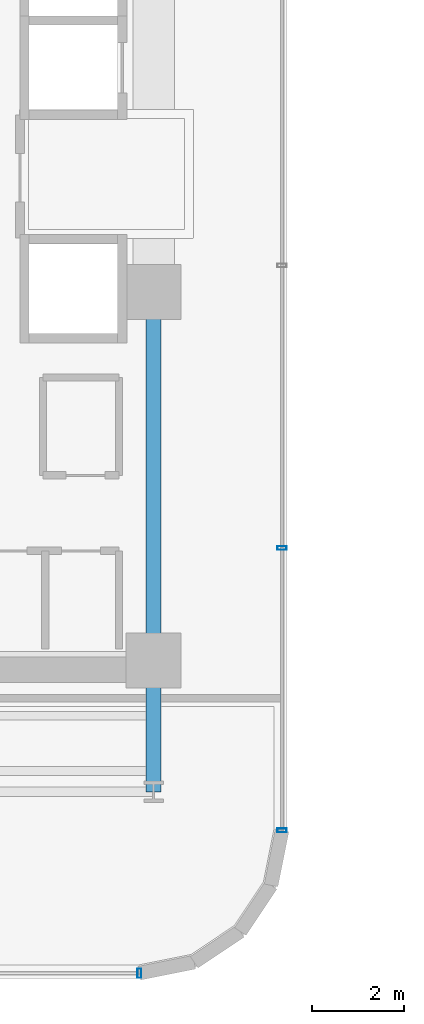
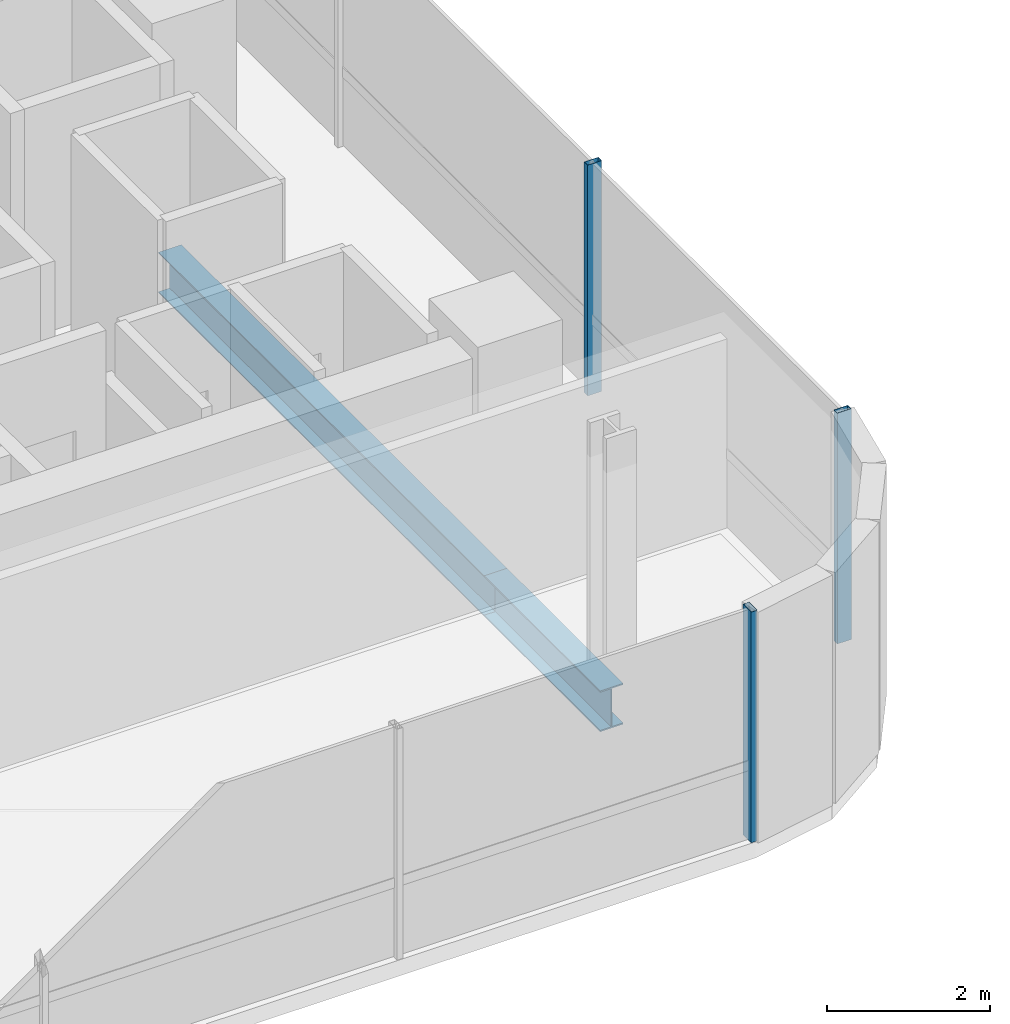
# One storey, part 6 of 36: 3 members, 2 beams, 2 elements without a shape of their own.
"""IFC4 building model written with IfcOpenShell, lengths in metres."""

from ifc_helpers import new_model, si_unit, direction, frame, origin, origin_2d, place, context, subcontext, project, spatial, hollow_rectangle, i_section, extrude, source, transform, mapped, material, material_profile, profile_set, type_object, element, aggregate, save


model = new_model("IFC4")

# Units and contexts
model_context = context("Model", 3, precision=1e-05, world=origin(), true_north=direction((0.0, 1.0)))
body_context = subcontext(model_context, "Body", "Model", "MODEL_VIEW")
ifc_project = project(units=[si_unit("LENGTHUNIT", "METRE"), si_unit("AREAUNIT", "SQUARE_METRE"), si_unit("VOLUMEUNIT", "CUBIC_METRE"), si_unit("PLANEANGLEUNIT", "RADIAN"), si_unit("MASSUNIT", "GRAM", prefix="KILO")], contexts=[model_context])

# Site, building, storey
site_placement = place(None, origin())
site = spatial("IfcSite", under=ifc_project, at=site_placement, CompositionType="ELEMENT")
building_placement = place(site_placement, origin())
building = spatial("IfcBuilding", under=site, at=building_placement, Name="Valdorenza Pilgrim Sanctuary Tower", CompositionType="ELEMENT")
storey_placement = place(building_placement, frame((0.0, 0.0, 153.800048828125)))
storey = spatial("IfcBuildingStorey", under=building, at=storey_placement, Name="L39", CompositionType="ELEMENT", Elevation=153.800048828125)

# Beams
ifc_material_1 = material(Name="Steel ASTM A992 Grade 50", Category="steel")
ifc_material_profile_1 = material_profile(ifc_material_1, i_section(OverallWidth=0.323974609375, OverallDepth=0.611083984375, WebThickness=0.0126953125, FlangeThickness=0.01904296875, at=origin_2d()), Name="W24X104")
ifc_profile_set_1 = profile_set([ifc_material_profile_1], Name="Steel ASTM A992 Grade 50")
beam_type = type_object("IfcBeamType", Name="STR-BM-GRD-W24B", PredefinedType="BEAM", material=ifc_profile_set_1)
shared_shape_1 = source(origin(), body_context, "Body", "SweptSolid", [
    extrude(i_section(OverallWidth=0.323974609375, OverallDepth=0.611083984375, WebThickness=0.0126953125, FlangeThickness=0.01904296875, at=origin_2d()), origin(), (0.0, 0.0, 1.0), 8.0),
])
beam_1_placement = place(storey_placement, frame((-12.39990234375, -10.60009765625, -0.545654296875), z_axis=(0.0, 1.0, 0.0), x_axis=(-1.0, 0.0, 0.0)))
element("IfcBeam", 1, at=beam_1_placement, inside=storey, type_object=beam_type, Name="L39 Core Tie Girder CA-E-S1M0", PredefinedType="BEAM", context=body_context, shape_type="MappedRepresentation", body=[
    mapped(shared_shape_1, transform((0.0, 0.0, 0.0), x_axis=(1.0, 0.0, 0.0), y_axis=(0.0, 1.0, 0.0), z_axis=(0.0, 0.0, 1.0), scale=1.0)),
])
shared_shape_2 = source(origin(), body_context, "Body", "SweptSolid", [
    extrude(i_section(OverallWidth=0.323974609375, OverallDepth=0.611083984375, WebThickness=0.0126953125, FlangeThickness=0.01904296875, at=origin_2d()), origin(), (0.0, 0.0, 1.0), 2.849853515625),
])
beam_2_placement = place(storey_placement, frame((-12.39990234375, -13.449951171875, -0.545654296875), z_axis=(0.0, 1.0, 0.0), x_axis=(-1.0, 0.0, 0.0)))
element("IfcBeam", 2, at=beam_2_placement, inside=storey, type_object=beam_type, Name="L39 Floor Girder WA-S-LE", PredefinedType="BEAM", context=body_context, shape_type="MappedRepresentation", body=[
    mapped(shared_shape_2, transform((0.0, 0.0, 0.0), x_axis=(1.0, 0.0, 0.0), y_axis=(0.0, 1.0, 0.0), z_axis=(0.0, 0.0, 1.0), scale=1.0)),
])

# Curtain wall, members
ifc_material_2 = material(Name="Curtain-wall IGU glazing", Category="glass")
curtain_wall_type = type_object("IfcCurtainWallType", Name="CW-SYS-02", PredefinedType="NOTDEFINED", material=ifc_material_2)
curtain_wall_1_placement = place(storey_placement, origin())
curtain_wall_1 = element("IfcCurtainWall", 3, at=curtain_wall_1_placement, inside=storey, type_object=curtain_wall_type, Name="L39 Curtain Wall CW-L39-1-21", PredefinedType="NOTDEFINED")
ifc_material_3 = material(Name="Anodised aluminium AW-6060", Category="aluminium")
ifc_material_profile_2 = material_profile(ifc_material_3, hollow_rectangle(XDim=0.0849609375, YDim=0.199951171875, WallThickness=0.0048828125, at=origin_2d()), Name="ALU-M 200x85x5")
ifc_profile_set_2 = profile_set([ifc_material_profile_2], Name="Anodised aluminium AW-6060")
member_type = type_object("IfcMemberType", Name="CW-MUL-02", PredefinedType="MULLION", material=ifc_profile_set_2)
shared_shape_3 = source(origin(), body_context, "Body", "SweptSolid", [
    extrude(hollow_rectangle(XDim=0.0849609375, YDim=0.199951171875, WallThickness=0.0048828125, at=origin_2d()), origin(), (0.0, 0.0, 1.0), 3.4599609375),
])
member_1_placement = place(storey_placement, frame((-9.610107421875, -8.156005859375, 0.0), z_axis=(0.0, 0.0, 1.0), x_axis=(0.0, -1.0, 0.0)))
member_1 = element("IfcMember", 4, at=member_1_placement, type_object=member_type, Name="CW-L39-1-21 Mullion 3", PredefinedType="MULLION", context=body_context, shape_type="MappedRepresentation", body=[
    mapped(shared_shape_3, transform((0.0, 0.0, 0.0), x_axis=(1.0, 0.0, 0.0), y_axis=(0.0, 1.0, 0.0), z_axis=(0.0, 0.0, 1.0), scale=1.0)),
])
member_2_placement = place(storey_placement, frame((-9.610107421875, -14.289306640625, 0.0), z_axis=(0.0, 0.0, 1.0), x_axis=(0.0, -1.0, 0.0)))
member_2 = element("IfcMember", 5, at=member_2_placement, type_object=member_type, Name="CW-L39-1-21 Mullion 4", PredefinedType="MULLION", context=body_context, shape_type="MappedRepresentation", body=[
    mapped(shared_shape_3, transform((0.0, 0.0, 0.0), x_axis=(1.0, 0.0, 0.0), y_axis=(0.0, 1.0, 0.0), z_axis=(0.0, 0.0, 1.0), scale=1.0)),
])
aggregate(curtain_wall_1, [member_1, member_2])

# Curtain wall, member
curtain_wall_2_placement = place(storey_placement, origin())
curtain_wall_2 = element("IfcCurtainWall", 6, at=curtain_wall_2_placement, inside=storey, type_object=curtain_wall_type, Name="L39 Curtain Wall CW-L39-1-26", PredefinedType="NOTDEFINED")
member_3_placement = place(storey_placement, frame((-12.710693359375, -17.389892578125, 0.0), z_axis=(0.0, 0.0, 1.0), x_axis=(-1.0, 0.0, 0.0)))
member_3 = element("IfcMember", 7, at=member_3_placement, type_object=member_type, Name="CW-L39-1-26 Mullion 1", PredefinedType="MULLION", context=body_context, shape_type="MappedRepresentation", body=[
    mapped(shared_shape_3, transform((0.0, 0.0, 0.0), x_axis=(1.0, 0.0, 0.0), y_axis=(0.0, 1.0, 0.0), z_axis=(0.0, 0.0, 1.0), scale=1.0)),
])
aggregate(curtain_wall_2, [member_3])

save(model, "model.ifc")
